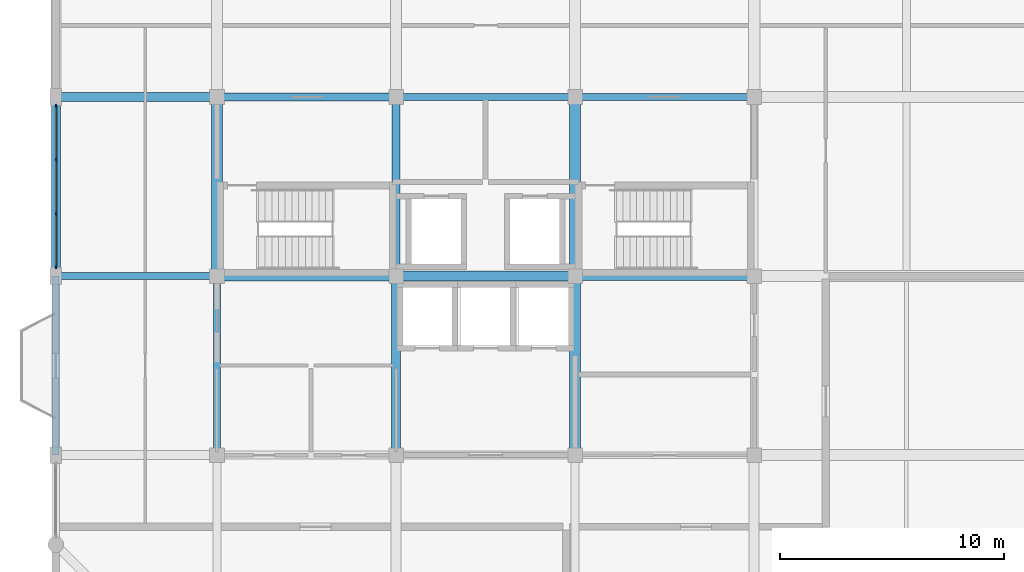
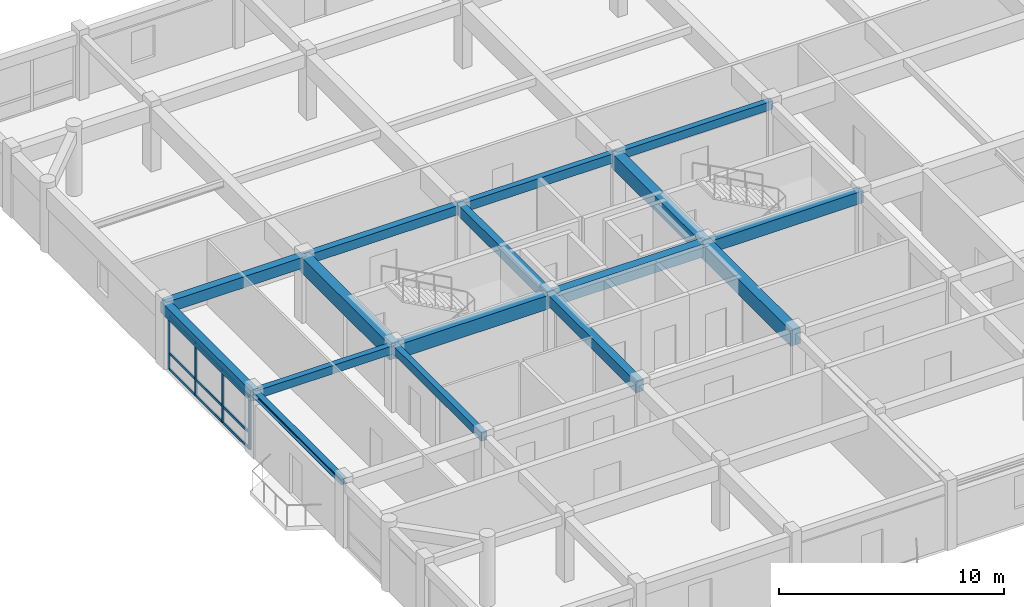
# One storey, part 3 of 13: 16 beams, 13 members, 1 element without a shape of its own.
"""IFC4 building model written with IfcOpenShell, lengths in metres."""

from ifc_helpers import new_model, si_unit, direction, frame, origin, origin_2d, place, context, subcontext, project, spatial, rectangle, i_section, extrude, material, material_profile, profile_set, type_object, element, aggregate, save


model = new_model("IFC4")

# Units and contexts
model_context = context("Model", 3, precision=1e-05, world=origin(), true_north=direction((0.0, 1.0)))
body_context = subcontext(model_context, "Body", "Model", "MODEL_VIEW")
ifc_project = project(units=[si_unit("LENGTHUNIT", "METRE"), si_unit("AREAUNIT", "SQUARE_METRE"), si_unit("VOLUMEUNIT", "CUBIC_METRE"), si_unit("PLANEANGLEUNIT", "RADIAN"), si_unit("MASSUNIT", "GRAM", prefix="KILO")], contexts=[model_context])

# Site, building, storey
site_placement = place(None, origin())
site = spatial("IfcSite", under=ifc_project, at=site_placement, CompositionType="ELEMENT")
building_placement = place(site_placement, origin())
building = spatial("IfcBuilding", under=site, at=building_placement, Name="Vellmiral Cinema and Media Centre", CompositionType="ELEMENT")
storey_placement = place(building_placement, frame((0.0, 0.0, 43.300048828125)))
storey = spatial("IfcBuildingStorey", under=building, at=storey_placement, Name="L10", CompositionType="ELEMENT", Elevation=43.300048828125)

# Beams
ifc_material_1 = material(Name="Concrete C40/50", Category="concrete")
ifc_material_profile_1 = material_profile(ifc_material_1, rectangle(XDim=0.300048828125, YDim=0.449951171875, at=origin_2d()), Name="RC 300x450")
ifc_profile_set_1 = profile_set([ifc_material_profile_1], Name="Concrete C40/50")
beam_type_1 = type_object("IfcBeamType", Name="BM-RC-300x450", PredefinedType="BEAM", material=ifc_profile_set_1)
beam_1_placement = place(storey_placement, frame((116.800048828125, 87.199951171875, 3.27001953125), z_axis=(1.0, 0.0, 0.0), x_axis=(0.0, 1.0, 0.0)))
element("IfcBeam", 1, at=beam_1_placement, inside=storey, type_object=beam_type_1, Name="Grid Beam L10-X019", PredefinedType="BEAM", context=body_context, shape_type="SweptSolid", body=[
    extrude(rectangle(XDim=0.300048828125, YDim=0.449951171875, at=origin_2d()), origin(), (0.0, 0.0, 1.0), 7.199951171875),
])
for number, where, z_axis, x_axis, name in (
    (2, (140.0, 95.199951171875, 3.27001953125), (1.0, 0.0, 0.0), (0.0, 1.0, 0.0), "Grid Beam L10-X028"),
    (3, (124.0, 79.199951171875, 3.27001953125), (0.0, 1.0, 0.0), (-1.0, 0.0, 0.0), "Grid Beam L10-Y050"),
):
    element("IfcBeam", number, at=place(storey_placement, frame(where, z_axis=z_axis, x_axis=x_axis)), inside=storey, type_object=beam_type_1, Name=name, PredefinedType="BEAM", context=body_context, shape_type="SweptSolid", body=[
        extrude(rectangle(XDim=0.300048828125, YDim=0.449951171875, at=origin_2d()), origin(), (0.0, 0.0, 1.0), 8.0),
    ])
ifc_material_2 = material(Name="Concrete C40/50", Category="concrete")
ifc_material_profile_2 = material_profile(ifc_material_2, rectangle(XDim=0.300048828125, YDim=0.5, at=origin_2d()), Name="RC 300x500")
ifc_profile_set_2 = profile_set([ifc_material_profile_2], Name="Concrete C40/50")
beam_type_2 = type_object("IfcBeamType", Name="BM-RC-300x500", PredefinedType="BEAM", material=ifc_profile_set_2)
beam_2_placement = place(storey_placement, frame((132.0, 95.199951171875, 3.244873046875), z_axis=(1.0, 0.0, 0.0), x_axis=(0.0, 1.0, 0.0)))
element("IfcBeam", 4, at=beam_2_placement, inside=storey, type_object=beam_type_2, Name="Grid Beam L10-X027", PredefinedType="BEAM", context=body_context, shape_type="SweptSolid", body=[
    extrude(rectangle(XDim=0.300048828125, YDim=0.5, at=origin_2d()), origin(), (0.0, 0.0, 1.0), 8.0),
])
ifc_material_3 = material(Name="Concrete C40/50", Category="concrete")
ifc_material_profile_3 = material_profile(ifc_material_3, rectangle(XDim=0.35009765625, YDim=0.5, at=origin_2d()), Name="RC 350x500")
ifc_profile_set_3 = profile_set([ifc_material_profile_3], Name="Concrete C40/50")
beam_type_3 = type_object("IfcBeamType", Name="BM-RC-350x500", PredefinedType="BEAM", material=ifc_profile_set_3)
beam_3_placement = place(storey_placement, frame((124.0, 95.199951171875, 3.244873046875), z_axis=(1.0, 0.0, 0.0), x_axis=(0.0, 1.0, 0.0)))
element("IfcBeam", 5, at=beam_3_placement, inside=storey, type_object=beam_type_3, Name="Grid Beam L10-X026", PredefinedType="BEAM", context=body_context, shape_type="SweptSolid", body=[
    extrude(rectangle(XDim=0.35009765625, YDim=0.5, at=origin_2d()), origin(), (0.0, 0.0, 1.0), 8.0),
])
ifc_material_4 = material(Name="Concrete C40/50", Category="concrete")
ifc_material_profile_4 = material_profile(ifc_material_4, rectangle(XDim=0.35009765625, YDim=0.60009765625, at=origin_2d()), Name="RC 350x600")
ifc_profile_set_4 = profile_set([ifc_material_profile_4], Name="Concrete C40/50")
beam_type_4 = type_object("IfcBeamType", Name="BM-RC-350x600", PredefinedType="BEAM", material=ifc_profile_set_4)
beam_4_placement = place(storey_placement, frame((132.0, 87.199951171875, 3.195068359375), z_axis=(0.0, 1.0, 0.0), x_axis=(-1.0, 0.0, 0.0)))
element("IfcBeam", 6, at=beam_4_placement, inside=storey, type_object=beam_type_4, Name="Grid Beam L10-Y057", PredefinedType="BEAM", context=body_context, shape_type="SweptSolid", body=[
    extrude(rectangle(XDim=0.35009765625, YDim=0.60009765625, at=origin_2d()), origin(), (0.0, 0.0, 1.0), 8.0),
])
ifc_material_5 = material(Name="Concrete C40/50", Category="concrete")
ifc_material_profile_5 = material_profile(ifc_material_5, rectangle(XDim=0.39990234375, YDim=0.60009765625, at=origin_2d()), Name="RC 400x600")
ifc_profile_set_5 = profile_set([ifc_material_profile_5], Name="Concrete C40/50")
beam_type_5 = type_object("IfcBeamType", Name="BM-RC-400x600", PredefinedType="BEAM", material=ifc_profile_set_5)
beam_5_placement = place(storey_placement, frame((116.800048828125, 95.199951171875, 3.195068359375), z_axis=(1.0, 0.0, 0.0), x_axis=(0.0, 1.0, 0.0)))
element("IfcBeam", 7, at=beam_5_placement, inside=storey, type_object=beam_type_5, Name="Grid Beam L10-X025", PredefinedType="BEAM", context=body_context, shape_type="SweptSolid", body=[
    extrude(rectangle(XDim=0.39990234375, YDim=0.60009765625, at=origin_2d()), origin(), (0.0, 0.0, 1.0), 7.199951171875),
])
beam_6_placement = place(storey_placement, frame((132.0, 79.199951171875, 3.195068359375), z_axis=(0.0, 1.0, 0.0), x_axis=(-1.0, 0.0, 0.0)))
element("IfcBeam", 8, at=beam_6_placement, inside=storey, type_object=beam_type_5, Name="Grid Beam L10-Y056", PredefinedType="BEAM", context=body_context, shape_type="SweptSolid", body=[
    extrude(rectangle(XDim=0.39990234375, YDim=0.60009765625, at=origin_2d()), origin(), (0.0, 0.0, 1.0), 8.0),
])
ifc_material_6 = material(Name="Concrete C40/50", Category="concrete")
ifc_material_profile_6 = material_profile(ifc_material_6, rectangle(XDim=0.39990234375, YDim=0.64990234375, at=origin_2d()), Name="RC 400x650")
ifc_profile_set_6 = profile_set([ifc_material_profile_6], Name="Concrete C40/50")
beam_type_6 = type_object("IfcBeamType", Name="BM-RC-400x650", PredefinedType="BEAM", material=ifc_profile_set_6)
beam_7_placement = place(storey_placement, frame((140.0, 87.199951171875, 3.169921875), z_axis=(1.0, 0.0, 0.0), x_axis=(0.0, 1.0, 0.0)))
element("IfcBeam", 9, at=beam_7_placement, inside=storey, type_object=beam_type_6, Name="Grid Beam L10-X022", PredefinedType="BEAM", context=body_context, shape_type="SweptSolid", body=[
    extrude(rectangle(XDim=0.39990234375, YDim=0.64990234375, at=origin_2d()), origin(), (0.0, 0.0, 1.0), 8.0),
])
ifc_material_7 = material(Name="Concrete C40/50", Category="concrete")
ifc_material_profile_7 = material_profile(ifc_material_7, rectangle(XDim=0.449951171875, YDim=0.699951171875, at=origin_2d()), Name="RC 450x700")
ifc_profile_set_7 = profile_set([ifc_material_profile_7], Name="Concrete C40/50")
beam_type_7 = type_object("IfcBeamType", Name="BM-RC-450x700", PredefinedType="BEAM", material=ifc_profile_set_7)
beam_8_placement = place(storey_placement, frame((132.0, 87.199951171875, 3.14501953125), z_axis=(1.0, 0.0, 0.0), x_axis=(0.0, 1.0, 0.0)))
element("IfcBeam", 10, at=beam_8_placement, inside=storey, type_object=beam_type_7, Name="Grid Beam L10-X021", PredefinedType="BEAM", context=body_context, shape_type="SweptSolid", body=[
    extrude(rectangle(XDim=0.449951171875, YDim=0.699951171875, at=origin_2d()), origin(), (0.0, 0.0, 1.0), 8.0),
])
ifc_material_8 = material(Name="Concrete C40/50", Category="concrete")
ifc_material_profile_8 = material_profile(ifc_material_8, rectangle(XDim=0.449951171875, YDim=0.75, at=origin_2d()), Name="RC 450x750")
ifc_profile_set_8 = profile_set([ifc_material_profile_8], Name="Concrete C40/50")
beam_type_8 = type_object("IfcBeamType", Name="BM-RC-450x750", PredefinedType="BEAM", material=ifc_profile_set_8)
beam_9_placement = place(storey_placement, frame((124.0, 87.199951171875, 3.119873046875), z_axis=(1.0, 0.0, 0.0), x_axis=(0.0, 1.0, 0.0)))
element("IfcBeam", 11, at=beam_9_placement, inside=storey, type_object=beam_type_8, Name="Grid Beam L10-X020", PredefinedType="BEAM", context=body_context, shape_type="SweptSolid", body=[
    extrude(rectangle(XDim=0.449951171875, YDim=0.75, at=origin_2d()), origin(), (0.0, 0.0, 1.0), 8.0),
])
ifc_material_9 = material(Name="Concrete C40/50", Category="concrete")
ifc_material_profile_9 = material_profile(ifc_material_9, rectangle(XDim=0.5, YDim=0.800048828125, at=origin_2d()), Name="RC 500x800")
ifc_profile_set_9 = profile_set([ifc_material_profile_9], Name="Concrete C40/50")
beam_type_9 = type_object("IfcBeamType", Name="BM-RC-500x800", PredefinedType="BEAM", material=ifc_profile_set_9)
beam_10_placement = place(storey_placement, frame((140.0, 87.199951171875, 3.094970703125), z_axis=(0.0, 1.0, 0.0), x_axis=(-1.0, 0.0, 0.0)))
element("IfcBeam", 12, at=beam_10_placement, inside=storey, type_object=beam_type_9, Name="Grid Beam L10-Y063", PredefinedType="BEAM", context=body_context, shape_type="SweptSolid", body=[
    extrude(rectangle(XDim=0.5, YDim=0.800048828125, at=origin_2d()), origin(), (0.0, 0.0, 1.0), 8.0),
])
ifc_material_10 = material(Name="Concrete C40/50", Category="concrete")
ifc_material_profile_10 = material_profile(ifc_material_10, rectangle(XDim=0.5, YDim=0.85009765625, at=origin_2d()), Name="RC 500x850")
ifc_profile_set_10 = profile_set([ifc_material_profile_10], Name="Concrete C40/50")
beam_type_10 = type_object("IfcBeamType", Name="BM-RC-500x850", PredefinedType="BEAM", material=ifc_profile_set_10)
for number, where, z_axis, x_axis, name in (
    (13, (124.0, 87.199951171875, 3.070068359375), (0.0, 1.0, 0.0), (-1.0, 0.0, 0.0), "Grid Beam L10-Y051"),
    (14, (140.0, 79.199951171875, 3.070068359375), (0.0, 1.0, 0.0), (-1.0, 0.0, 0.0), "Grid Beam L10-Y062"),
):
    element("IfcBeam", number, at=place(storey_placement, frame(where, z_axis=z_axis, x_axis=x_axis)), inside=storey, type_object=beam_type_10, Name=name, PredefinedType="BEAM", context=body_context, shape_type="SweptSolid", body=[
        extrude(rectangle(XDim=0.5, YDim=0.85009765625, at=origin_2d()), origin(), (0.0, 0.0, 1.0), 8.0),
    ])

# Curtain wall, members
ifc_material_11 = material(Name="Thermally Broken Aluminium and Triple Glazing", Category="aluminium")
curtain_wall_type = type_object("IfcCurtainWallType", Name="CW-TOWER-MID-W", PredefinedType="USERDEFINED", material=ifc_material_11)
curtain_wall_placement = place(storey_placement, origin())
curtain_wall = element("IfcCurtainWall", 15, at=curtain_wall_placement, inside=storey, type_object=curtain_wall_type, Name="Curtain Wall L10-B025", ObjectType="UNITISED CURTAIN WALL", PredefinedType="USERDEFINED")
ifc_material_12 = material(Name="Thermally Broken Anodised Aluminium", Category="aluminium")
ifc_material_profile_11 = material_profile(ifc_material_12, rectangle(XDim=0.06494140625, YDim=0.159912109375, at=origin_2d()), Name="MULL 65x160")
ifc_profile_set_11 = profile_set([ifc_material_profile_11], Name="Thermally Broken Anodised Aluminium")
member_type_1 = type_object("IfcMemberType", Name="CWM-65x160", PredefinedType="MULLION", material=ifc_profile_set_11)
member_1_placement = place(storey_placement, frame((116.800048828125, 94.79248046875, 0.0), z_axis=(0.0, 0.0, 1.0), x_axis=(1.0, 0.0, 0.0)))
member_1 = element("IfcMember", 16, at=member_1_placement, type_object=member_type_1, Name="CW-08 mullion 1", PredefinedType="MULLION", context=body_context, shape_type="SweptSolid", body=[
    extrude(rectangle(XDim=0.06494140625, YDim=0.159912109375, at=origin_2d()), origin(), (0.0, 0.0, 1.0), 2.885009765625),
])
member_2_placement = place(storey_placement, frame((116.800048828125, 92.408447265625, 0.0), z_axis=(0.0, 0.0, 1.0), x_axis=(1.0, 0.0, 0.0)))
member_2 = element("IfcMember", 17, at=member_2_placement, type_object=member_type_1, Name="CW-08 mullion 2", PredefinedType="MULLION", context=body_context, shape_type="SweptSolid", body=[
    extrude(rectangle(XDim=0.06494140625, YDim=0.159912109375, at=origin_2d()), origin(), (0.0, 0.0, 1.0), 2.885009765625),
])
member_3_placement = place(storey_placement, frame((116.800048828125, 89.99169921875, 0.0), z_axis=(0.0, 0.0, 1.0), x_axis=(1.0, 0.0, 0.0)))
member_3 = element("IfcMember", 18, at=member_3_placement, type_object=member_type_1, Name="CW-08 mullion 3", PredefinedType="MULLION", context=body_context, shape_type="SweptSolid", body=[
    extrude(rectangle(XDim=0.06494140625, YDim=0.159912109375, at=origin_2d()), origin(), (0.0, 0.0, 1.0), 2.885009765625),
])
member_4_placement = place(storey_placement, frame((116.800048828125, 87.607421875, 0.0), z_axis=(0.0, 0.0, 1.0), x_axis=(1.0, 0.0, 0.0)))
member_4 = element("IfcMember", 19, at=member_4_placement, type_object=member_type_1, Name="CW-08 mullion 4", PredefinedType="MULLION", context=body_context, shape_type="SweptSolid", body=[
    extrude(rectangle(XDim=0.06494140625, YDim=0.159912109375, at=origin_2d()), origin(), (0.0, 0.0, 1.0), 2.885009765625),
])
ifc_material_13 = material(Name="Thermally Broken Anodised Aluminium", Category="aluminium")
ifc_material_profile_12 = material_profile(ifc_material_13, rectangle(XDim=0.06494140625, YDim=0.135009765625, at=origin_2d()), Name="MULL 65x135")
ifc_profile_set_12 = profile_set([ifc_material_profile_12], Name="Thermally Broken Anodised Aluminium")
member_type_2 = type_object("IfcMemberType", Name="CWT-65x135", PredefinedType="USERDEFINED", material=ifc_profile_set_12)
member_5_placement = place(storey_placement, frame((116.800048828125, 94.760009765625, 0.032470703125), z_axis=(0.0, -1.0, 0.0), x_axis=(1.0, 0.0, 0.0)))
member_5 = element("IfcMember", 20, at=member_5_placement, type_object=member_type_2, Name="CW-08 transom 1.1", ObjectType="TRANSOM", PredefinedType="USERDEFINED", context=body_context, shape_type="SweptSolid", body=[
    extrude(rectangle(XDim=0.06494140625, YDim=0.135009765625, at=origin_2d()), origin(), (0.0, 0.0, 1.0), 2.319091796875),
])
member_6_placement = place(storey_placement, frame((116.800048828125, 94.760009765625, 0.89990234375), z_axis=(0.0, -1.0, 0.0), x_axis=(1.0, 0.0, 0.0)))
member_6 = element("IfcMember", 21, at=member_6_placement, type_object=member_type_2, Name="CW-08 transom 1.2", ObjectType="TRANSOM", PredefinedType="USERDEFINED", context=body_context, shape_type="SweptSolid", body=[
    extrude(rectangle(XDim=0.06494140625, YDim=0.135009765625, at=origin_2d()), origin(), (0.0, 0.0, 1.0), 2.319091796875),
])
member_7_placement = place(storey_placement, frame((116.800048828125, 94.760009765625, 2.8525390625), z_axis=(0.0, -1.0, 0.0), x_axis=(1.0, 0.0, 0.0)))
member_7 = element("IfcMember", 22, at=member_7_placement, type_object=member_type_2, Name="CW-08 transom 1.3", ObjectType="TRANSOM", PredefinedType="USERDEFINED", context=body_context, shape_type="SweptSolid", body=[
    extrude(rectangle(XDim=0.06494140625, YDim=0.135009765625, at=origin_2d()), origin(), (0.0, 0.0, 1.0), 2.319091796875),
])
member_8_placement = place(storey_placement, frame((116.800048828125, 92.375732421875, 0.032470703125), z_axis=(0.0, -1.0, 0.0), x_axis=(1.0, 0.0, 0.0)))
member_8 = element("IfcMember", 23, at=member_8_placement, type_object=member_type_2, Name="CW-08 transom 2.1", ObjectType="TRANSOM", PredefinedType="USERDEFINED", context=body_context, shape_type="SweptSolid", body=[
    extrude(rectangle(XDim=0.06494140625, YDim=0.135009765625, at=origin_2d()), origin(), (0.0, 0.0, 1.0), 2.3515625),
])
member_9_placement = place(storey_placement, frame((116.800048828125, 92.375732421875, 0.89990234375), z_axis=(0.0, -1.0, 0.0), x_axis=(1.0, 0.0, 0.0)))
member_9 = element("IfcMember", 24, at=member_9_placement, type_object=member_type_2, Name="CW-08 transom 2.2", ObjectType="TRANSOM", PredefinedType="USERDEFINED", context=body_context, shape_type="SweptSolid", body=[
    extrude(rectangle(XDim=0.06494140625, YDim=0.135009765625, at=origin_2d()), origin(), (0.0, 0.0, 1.0), 2.3515625),
])
member_10_placement = place(storey_placement, frame((116.800048828125, 92.375732421875, 2.8525390625), z_axis=(0.0, -1.0, 0.0), x_axis=(1.0, 0.0, 0.0)))
member_10 = element("IfcMember", 25, at=member_10_placement, type_object=member_type_2, Name="CW-08 transom 2.3", ObjectType="TRANSOM", PredefinedType="USERDEFINED", context=body_context, shape_type="SweptSolid", body=[
    extrude(rectangle(XDim=0.06494140625, YDim=0.135009765625, at=origin_2d()), origin(), (0.0, 0.0, 1.0), 2.3515625),
])
member_11_placement = place(storey_placement, frame((116.800048828125, 89.959228515625, 0.032470703125), z_axis=(0.0, -1.0, 0.0), x_axis=(1.0, 0.0, 0.0)))
member_11 = element("IfcMember", 26, at=member_11_placement, type_object=member_type_2, Name="CW-08 transom 3.1", ObjectType="TRANSOM", PredefinedType="USERDEFINED", context=body_context, shape_type="SweptSolid", body=[
    extrude(rectangle(XDim=0.06494140625, YDim=0.135009765625, at=origin_2d()), origin(), (0.0, 0.0, 1.0), 2.3193359375),
])
member_12_placement = place(storey_placement, frame((116.800048828125, 89.959228515625, 0.89990234375), z_axis=(0.0, -1.0, 0.0), x_axis=(1.0, 0.0, 0.0)))
member_12 = element("IfcMember", 27, at=member_12_placement, type_object=member_type_2, Name="CW-08 transom 3.2", ObjectType="TRANSOM", PredefinedType="USERDEFINED", context=body_context, shape_type="SweptSolid", body=[
    extrude(rectangle(XDim=0.06494140625, YDim=0.135009765625, at=origin_2d()), origin(), (0.0, 0.0, 1.0), 2.3193359375),
])
member_13_placement = place(storey_placement, frame((116.800048828125, 89.959228515625, 2.8525390625), z_axis=(0.0, -1.0, 0.0), x_axis=(1.0, 0.0, 0.0)))
member_13 = element("IfcMember", 28, at=member_13_placement, type_object=member_type_2, Name="CW-08 transom 3.3", ObjectType="TRANSOM", PredefinedType="USERDEFINED", context=body_context, shape_type="SweptSolid", body=[
    extrude(rectangle(XDim=0.06494140625, YDim=0.135009765625, at=origin_2d()), origin(), (0.0, 0.0, 1.0), 2.3193359375),
])
aggregate(curtain_wall, [member_1, member_2, member_3, member_4, member_5, member_6, member_7, member_8, member_9, member_10, member_11, member_12, member_13])

# Beams
ifc_material_14 = material(Name="Steel S355", Category="steel")
ifc_material_profile_13 = material_profile(ifc_material_14, i_section(OverallWidth=0.300048828125, OverallDepth=0.300048828125, WebThickness=0.010986328125, FlangeThickness=0.01904296875, FilletRadius=0.027099609375, at=origin_2d()), Name="HEB 300")
ifc_profile_set_13 = profile_set([ifc_material_profile_13], Name="Steel S355")
beam_type_11 = type_object("IfcBeamType", Name="SBM-HEB300", PredefinedType="SPANDREL", material=ifc_profile_set_13)
beam_11_placement = place(storey_placement, frame((116.800048828125, 79.199951171875, 3.344970703125), z_axis=(0.0, 1.0, 0.0), x_axis=(-1.0, 0.0, 0.0)))
element("IfcBeam", 29, at=beam_11_placement, inside=storey, type_object=beam_type_11, Name="Grid Beam L10-Y044", PredefinedType="SPANDREL", context=body_context, shape_type="SweptSolid", body=[
    extrude(i_section(OverallWidth=0.300048828125, OverallDepth=0.300048828125, WebThickness=0.010986328125, FlangeThickness=0.01904296875, FilletRadius=0.027099609375, at=origin_2d()), origin(), (0.0, 0.0, 1.0), 8.0),
])
ifc_material_15 = material(Name="Concrete C40/50", Category="concrete")
ifc_material_profile_14 = material_profile(ifc_material_15, rectangle(XDim=0.39990234375, YDim=0.60009765625, at=origin_2d()), Name="RC 400x600")
ifc_profile_set_14 = profile_set([ifc_material_profile_14], Name="Concrete C40/50")
beam_type_12 = type_object("IfcBeamType", Name="SPD-RC-400x600", PredefinedType="SPANDREL", material=ifc_profile_set_14)
beam_12_placement = place(storey_placement, frame((116.800048828125, 87.199951171875, 3.195068359375), z_axis=(0.0, 1.0, 0.0), x_axis=(-1.0, 0.0, 0.0)))
element("IfcBeam", 30, at=beam_12_placement, inside=storey, type_object=beam_type_12, Name="Grid Beam L10-Y045", PredefinedType="SPANDREL", context=body_context, shape_type="SweptSolid", body=[
    extrude(rectangle(XDim=0.39990234375, YDim=0.60009765625, at=origin_2d()), origin(), (0.0, 0.0, 1.0), 8.0),
])

save(model, "model.ifc")
